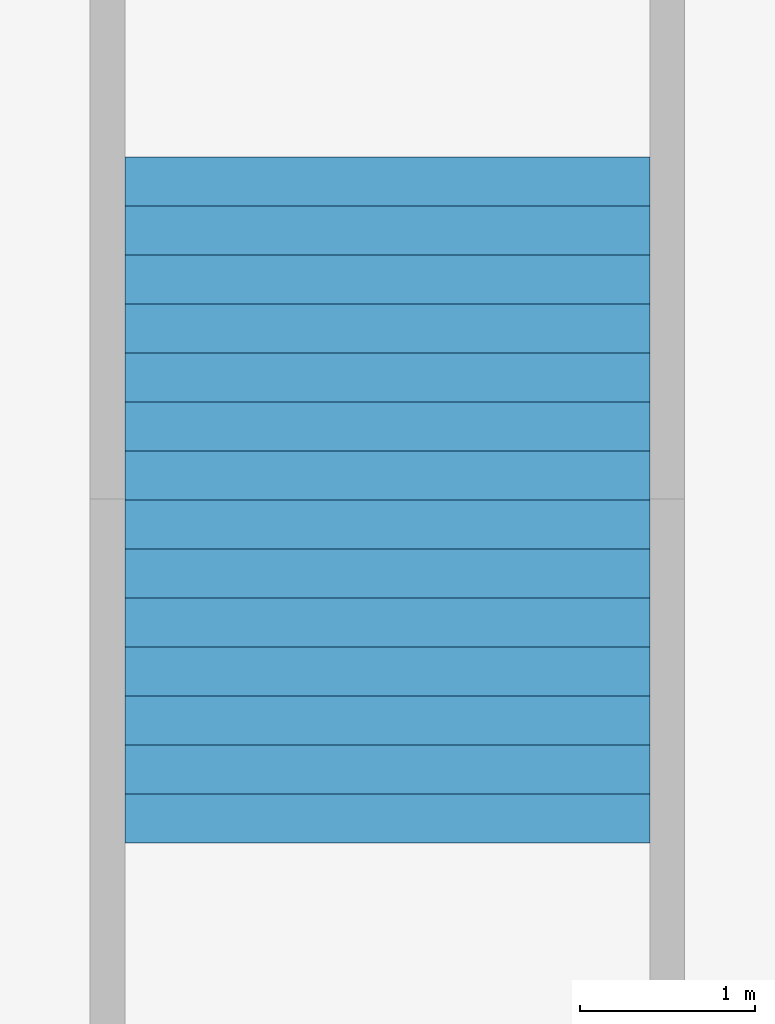
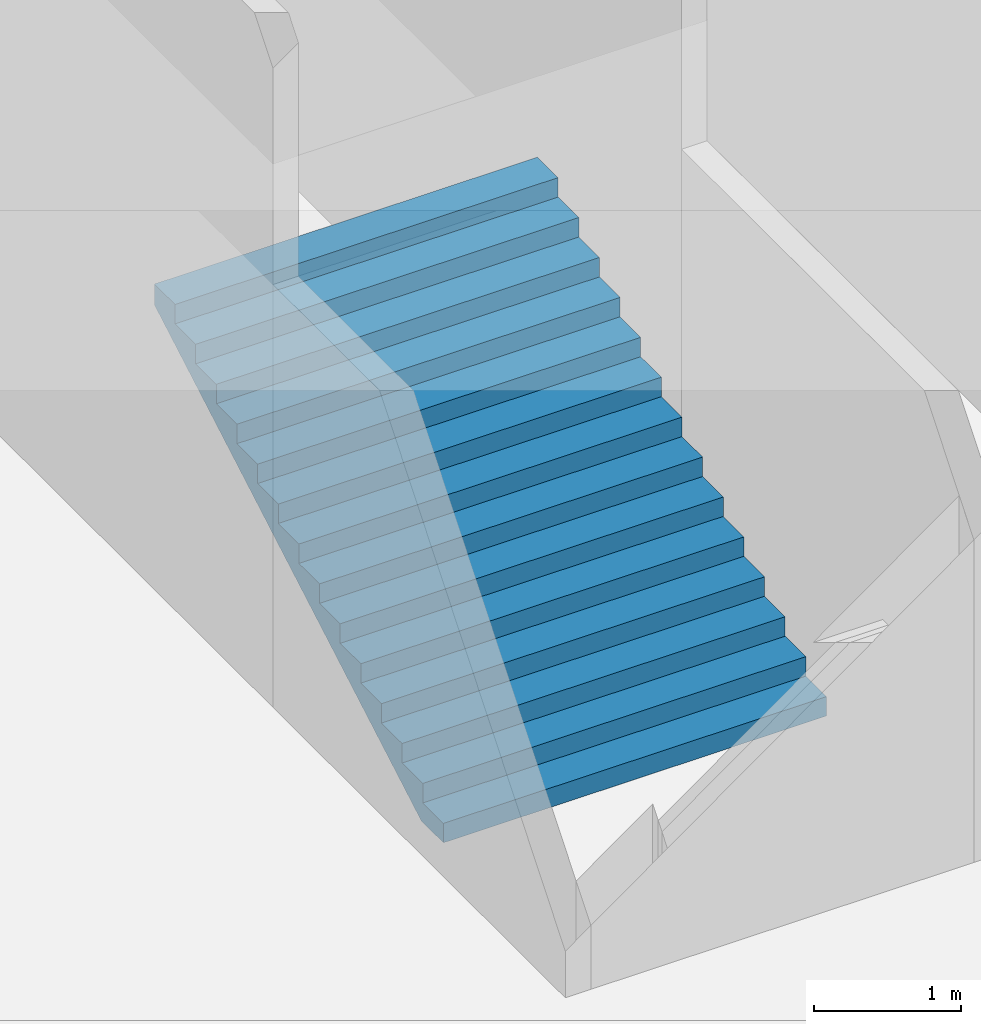
# One storey, part 90 of 115: 1 stair flight, 1 element without a shape of its own.
"""IFC4 building model written with IfcOpenShell, lengths in metres."""

from ifc_helpers import new_model, si_unit, direction, frame, origin, place, context, subcontext, project, spatial, faceted_brep, material, type_object, element, aggregate, save


model = new_model("IFC4")

# Units and contexts
model_context = context("Model", 3, precision=1e-05, world=origin(), true_north=direction((0.0, 1.0)))
body_context = subcontext(model_context, "Body", "Model", "MODEL_VIEW")
ifc_project = project(units=[si_unit("LENGTHUNIT", "METRE"), si_unit("AREAUNIT", "SQUARE_METRE"), si_unit("VOLUMEUNIT", "CUBIC_METRE"), si_unit("PLANEANGLEUNIT", "RADIAN"), si_unit("MASSUNIT", "GRAM", prefix="KILO")], contexts=[model_context])

# Site, building, storey
site_placement = place(None, origin())
site = spatial("IfcSite", under=ifc_project, at=site_placement, CompositionType="ELEMENT")
building_placement = place(site_placement, origin())
building = spatial("IfcBuilding", under=site, at=building_placement, Name="Ogive Plaza Stadium", CompositionType="ELEMENT")
storey_placement = place(building_placement, frame((0.0, 0.0, -4.5)))
storey = spatial("IfcBuildingStorey", under=building, at=storey_placement, Name="B1", CompositionType="ELEMENT", Elevation=-4.5)

# Stair, stair flight
ifc_material_1 = material(Name="Concrete C40/50", Category="concrete")
stair_type = type_object("IfcStairType", Name="Station stair 3000", PredefinedType="TWO_STRAIGHT_RUN_STAIR", material=ifc_material_1)
stair_placement = place(storey_placement, origin())
stair = element("IfcStair", 1, at=stair_placement, inside=storey, type_object=stair_type, Name="Stair QS4", PredefinedType="TWO_STRAIGHT_RUN_STAIR")
ifc_material_2 = material(Name="Concrete C40/50", Category="concrete")
stair_flight_type = type_object("IfcStairFlightType", Name="Station stair flight 3000", PredefinedType="STRAIGHT", material=ifc_material_2)
stair_flight_placement = place(storey_placement, frame((114.89990234375, 6.719970703125, 0.0), z_axis=(0.0, 0.0, 1.0), x_axis=(0.0, 1.0, 0.0)))
stair_flight = element("IfcStairFlight", 2, at=stair_flight_placement, type_object=stair_flight_type, Name="QS4 flight 1", NumberOfRisers=14, NumberOfTreads=13, PredefinedType="STRAIGHT", RiserHeight=0.160714286, TreadLength=0.28, context=body_context, shape_type="Brep", body=[
    faceted_brep([(0.301025390625, -1.5, 0.0), (3.919921875, -1.5, 2.0771484375), (3.919921875, -1.5, 2.25), (3.639892578125, -1.5, 2.25), (3.639892578125, -1.5, 2.08935546875), (3.360107421875, -1.5, 2.08935546875), (3.360107421875, -1.5, 1.928466796875), (3.080078125, -1.5, 1.928466796875), (3.080078125, -1.5, 1.767822265625), (2.800048828125, -1.5, 1.767822265625), (2.800048828125, -1.5, 1.607177734375), (2.52001953125, -1.5, 1.607177734375), (2.52001953125, -1.5, 1.446533203125), (2.239990234375, -1.5, 1.446533203125), (2.239990234375, -1.5, 1.28564453125), (1.9599609375, -1.5, 1.28564453125), (1.9599609375, -1.5, 1.125), (1.679931640625, -1.5, 1.125), (1.679931640625, -1.5, 0.96435546875), (1.39990234375, -1.5, 0.96435546875), (1.39990234375, -1.5, 0.803466796875), (1.1201171875, -1.5, 0.803466796875), (1.1201171875, -1.5, 0.642822265625), (0.840087890625, -1.5, 0.642822265625), (0.840087890625, -1.5, 0.482177734375), (0.56005859375, -1.5, 0.482177734375), (0.56005859375, -1.5, 0.321533203125), (0.280029296875, -1.5, 0.321533203125), (0.280029296875, -1.5, 0.16064453125), (0.0, -1.5, 0.16064453125), (0.0, -1.5, 0.0), (0.0, 1.5, 0.0), (0.0, 1.5, 0.16064453125), (0.280029296875, 1.5, 0.16064453125), (0.280029296875, 1.5, 0.321533203125), (0.56005859375, 1.5, 0.321533203125), (0.56005859375, 1.5, 0.482177734375), (0.840087890625, 1.5, 0.482177734375), (0.840087890625, 1.5, 0.642822265625), (1.1201171875, 1.5, 0.642822265625), (1.1201171875, 1.5, 0.803466796875), (1.39990234375, 1.5, 0.803466796875), (1.39990234375, 1.5, 0.96435546875), (1.679931640625, 1.5, 0.96435546875), (1.679931640625, 1.5, 1.125), (1.9599609375, 1.5, 1.125), (1.9599609375, 1.5, 1.28564453125), (2.239990234375, 1.5, 1.28564453125), (2.239990234375, 1.5, 1.446533203125), (2.52001953125, 1.5, 1.446533203125), (2.52001953125, 1.5, 1.607177734375), (2.800048828125, 1.5, 1.607177734375), (2.800048828125, 1.5, 1.767822265625), (3.080078125, 1.5, 1.767822265625), (3.080078125, 1.5, 1.928466796875), (3.360107421875, 1.5, 1.928466796875), (3.360107421875, 1.5, 2.08935546875), (3.639892578125, 1.5, 2.08935546875), (3.639892578125, 1.5, 2.25), (3.919921875, 1.5, 2.25), (3.919921875, 1.5, 2.0771484375), (0.301025390625, 1.5, 0.0), (0.301025390625, -1.166748046875, 0.0), (3.919921875, -1.166748046875, 2.0771484375), (0.301025390625, -0.833251953125, 0.0), (3.919921875, -0.833251953125, 2.0771484375), (0.301025390625, -0.5, 0.0), (3.919921875, -0.5, 2.0771484375), (0.301025390625, -0.166748046875, 0.0), (3.919921875, -0.166748046875, 2.0771484375), (0.301025390625, 0.166748046875, 0.0), (3.919921875, 0.166748046875, 2.0771484375), (0.301025390625, 0.5, 0.0), (3.919921875, 0.5, 2.0771484375), (0.301025390625, 0.833251953125, 0.0), (3.919921875, 0.833251953125, 2.0771484375), (0.301025390625, 1.166748046875, 0.0), (3.919921875, 1.166748046875, 2.0771484375), (3.919921875, -1.166748046875, 2.25), (3.919921875, -0.833251953125, 2.25), (3.919921875, -0.5, 2.25), (3.919921875, -0.166748046875, 2.25), (3.919921875, 0.166748046875, 2.25), (3.919921875, 0.5, 2.25), (3.919921875, 0.833251953125, 2.25), (3.919921875, 1.166748046875, 2.25), (3.639892578125, -1.166748046875, 2.25), (3.639892578125, -0.833251953125, 2.25), (3.639892578125, -0.5, 2.25), (3.639892578125, -0.166748046875, 2.25), (3.639892578125, 0.166748046875, 2.25), (3.639892578125, 0.5, 2.25), (3.639892578125, 0.833251953125, 2.25), (3.639892578125, 1.166748046875, 2.25), (3.639892578125, -1.166748046875, 2.08935546875), (3.639892578125, -0.833251953125, 2.08935546875), (3.639892578125, -0.5, 2.08935546875), (3.639892578125, -0.166748046875, 2.08935546875), (3.639892578125, 0.166748046875, 2.08935546875), (3.639892578125, 0.5, 2.08935546875), (3.639892578125, 0.833251953125, 2.08935546875), (3.639892578125, 1.166748046875, 2.08935546875), (3.360107421875, -1.166748046875, 2.08935546875), (3.360107421875, -0.833251953125, 2.08935546875), (3.360107421875, -0.5, 2.08935546875), (3.360107421875, -0.166748046875, 2.08935546875), (3.360107421875, 0.166748046875, 2.08935546875), (3.360107421875, 0.5, 2.08935546875), (3.360107421875, 0.833251953125, 2.08935546875), (3.360107421875, 1.166748046875, 2.08935546875), (3.360107421875, -1.166748046875, 1.928466796875), (3.360107421875, -0.833251953125, 1.928466796875), (3.360107421875, -0.5, 1.928466796875), (3.360107421875, -0.166748046875, 1.928466796875), (3.360107421875, 0.166748046875, 1.928466796875), (3.360107421875, 0.5, 1.928466796875), (3.360107421875, 0.833251953125, 1.928466796875), (3.360107421875, 1.166748046875, 1.928466796875), (3.080078125, -1.166748046875, 1.928466796875), (3.080078125, -0.833251953125, 1.928466796875), (3.080078125, -0.5, 1.928466796875), (3.080078125, -0.166748046875, 1.928466796875), (3.080078125, 0.166748046875, 1.928466796875), (3.080078125, 0.5, 1.928466796875), (3.080078125, 0.833251953125, 1.928466796875), (3.080078125, 1.166748046875, 1.928466796875), (3.080078125, -1.166748046875, 1.767822265625), (3.080078125, -0.833251953125, 1.767822265625), (3.080078125, -0.5, 1.767822265625), (3.080078125, -0.166748046875, 1.767822265625), (3.080078125, 0.166748046875, 1.767822265625), (3.080078125, 0.5, 1.767822265625), (3.080078125, 0.833251953125, 1.767822265625), (3.080078125, 1.166748046875, 1.767822265625), (2.800048828125, -1.166748046875, 1.767822265625), (2.800048828125, -0.833251953125, 1.767822265625), (2.800048828125, -0.5, 1.767822265625), (2.800048828125, -0.166748046875, 1.767822265625), (2.800048828125, 0.166748046875, 1.767822265625), (2.800048828125, 0.5, 1.767822265625), (2.800048828125, 0.833251953125, 1.767822265625), (2.800048828125, 1.166748046875, 1.767822265625), (2.800048828125, -1.166748046875, 1.607177734375), (2.800048828125, -0.833251953125, 1.607177734375), (2.800048828125, -0.5, 1.607177734375), (2.800048828125, -0.166748046875, 1.607177734375), (2.800048828125, 0.166748046875, 1.607177734375), (2.800048828125, 0.5, 1.607177734375), (2.800048828125, 0.833251953125, 1.607177734375), (2.800048828125, 1.166748046875, 1.607177734375), (2.52001953125, -1.166748046875, 1.607177734375), (2.52001953125, -0.833251953125, 1.607177734375), (2.52001953125, -0.5, 1.607177734375), (2.52001953125, -0.166748046875, 1.607177734375), (2.52001953125, 0.166748046875, 1.607177734375), (2.52001953125, 0.5, 1.607177734375), (2.52001953125, 0.833251953125, 1.607177734375), (2.52001953125, 1.166748046875, 1.607177734375), (2.52001953125, -1.166748046875, 1.446533203125), (2.52001953125, -0.833251953125, 1.446533203125), (2.52001953125, -0.5, 1.446533203125), (2.52001953125, -0.166748046875, 1.446533203125), (2.52001953125, 0.166748046875, 1.446533203125), (2.52001953125, 0.5, 1.446533203125), (2.52001953125, 0.833251953125, 1.446533203125), (2.52001953125, 1.166748046875, 1.446533203125), (2.239990234375, -1.166748046875, 1.446533203125), (2.239990234375, -0.833251953125, 1.446533203125), (2.239990234375, -0.5, 1.446533203125), (2.239990234375, -0.166748046875, 1.446533203125), (2.239990234375, 0.166748046875, 1.446533203125), (2.239990234375, 0.5, 1.446533203125), (2.239990234375, 0.833251953125, 1.446533203125), (2.239990234375, 1.166748046875, 1.446533203125), (2.239990234375, -1.166748046875, 1.28564453125), (2.239990234375, -0.833251953125, 1.28564453125), (2.239990234375, -0.5, 1.28564453125), (2.239990234375, -0.166748046875, 1.28564453125), (2.239990234375, 0.166748046875, 1.28564453125), (2.239990234375, 0.5, 1.28564453125), (2.239990234375, 0.833251953125, 1.28564453125), (2.239990234375, 1.166748046875, 1.28564453125), (1.9599609375, -1.166748046875, 1.28564453125), (1.9599609375, -0.833251953125, 1.28564453125), (1.9599609375, -0.5, 1.28564453125), (1.9599609375, -0.166748046875, 1.28564453125), (1.9599609375, 0.166748046875, 1.28564453125), (1.9599609375, 0.5, 1.28564453125), (1.9599609375, 0.833251953125, 1.28564453125), (1.9599609375, 1.166748046875, 1.28564453125), (1.9599609375, -1.166748046875, 1.125), (1.9599609375, -0.833251953125, 1.125), (1.9599609375, -0.5, 1.125), (1.9599609375, -0.166748046875, 1.125), (1.9599609375, 0.166748046875, 1.125), (1.9599609375, 0.5, 1.125), (1.9599609375, 0.833251953125, 1.125), (1.9599609375, 1.166748046875, 1.125), (1.679931640625, -1.166748046875, 1.125), (1.679931640625, -0.833251953125, 1.125), (1.679931640625, -0.5, 1.125), (1.679931640625, -0.166748046875, 1.125), (1.679931640625, 0.166748046875, 1.125), (1.679931640625, 0.5, 1.125), (1.679931640625, 0.833251953125, 1.125), (1.679931640625, 1.166748046875, 1.125), (1.679931640625, -1.166748046875, 0.96435546875), (1.679931640625, -0.833251953125, 0.96435546875), (1.679931640625, -0.5, 0.96435546875), (1.679931640625, -0.166748046875, 0.96435546875), (1.679931640625, 0.166748046875, 0.96435546875), (1.679931640625, 0.5, 0.96435546875), (1.679931640625, 0.833251953125, 0.96435546875), (1.679931640625, 1.166748046875, 0.96435546875), (1.39990234375, -1.166748046875, 0.96435546875), (1.39990234375, -0.833251953125, 0.96435546875), (1.39990234375, -0.5, 0.96435546875), (1.39990234375, -0.166748046875, 0.96435546875), (1.39990234375, 0.166748046875, 0.96435546875), (1.39990234375, 0.5, 0.96435546875), (1.39990234375, 0.833251953125, 0.96435546875), (1.39990234375, 1.166748046875, 0.96435546875), (1.39990234375, -1.166748046875, 0.803466796875), (1.39990234375, -0.833251953125, 0.803466796875), (1.39990234375, -0.5, 0.803466796875), (1.39990234375, -0.166748046875, 0.803466796875), (1.39990234375, 0.166748046875, 0.803466796875), (1.39990234375, 0.5, 0.803466796875), (1.39990234375, 0.833251953125, 0.803466796875), (1.39990234375, 1.166748046875, 0.803466796875), (1.1201171875, -1.166748046875, 0.803466796875), (1.1201171875, -0.833251953125, 0.803466796875), (1.1201171875, -0.5, 0.803466796875), (1.1201171875, -0.166748046875, 0.803466796875), (1.1201171875, 0.166748046875, 0.803466796875), (1.1201171875, 0.5, 0.803466796875), (1.1201171875, 0.833251953125, 0.803466796875), (1.1201171875, 1.166748046875, 0.803466796875), (1.1201171875, -1.166748046875, 0.642822265625), (1.1201171875, -0.833251953125, 0.642822265625), (1.1201171875, -0.5, 0.642822265625), (1.1201171875, -0.166748046875, 0.642822265625), (1.1201171875, 0.166748046875, 0.642822265625), (1.1201171875, 0.5, 0.642822265625), (1.1201171875, 0.833251953125, 0.642822265625), (1.1201171875, 1.166748046875, 0.642822265625), (0.840087890625, -1.166748046875, 0.642822265625), (0.840087890625, -0.833251953125, 0.642822265625), (0.840087890625, -0.5, 0.642822265625), (0.840087890625, -0.166748046875, 0.642822265625), (0.840087890625, 0.166748046875, 0.642822265625), (0.840087890625, 0.5, 0.642822265625), (0.840087890625, 0.833251953125, 0.642822265625), (0.840087890625, 1.166748046875, 0.642822265625), (0.840087890625, -1.166748046875, 0.482177734375), (0.840087890625, -0.833251953125, 0.482177734375), (0.840087890625, -0.5, 0.482177734375), (0.840087890625, -0.166748046875, 0.482177734375), (0.840087890625, 0.166748046875, 0.482177734375), (0.840087890625, 0.5, 0.482177734375), (0.840087890625, 0.833251953125, 0.482177734375), (0.840087890625, 1.166748046875, 0.482177734375), (0.56005859375, -1.166748046875, 0.482177734375), (0.56005859375, -0.833251953125, 0.482177734375), (0.56005859375, -0.5, 0.482177734375), (0.56005859375, -0.166748046875, 0.482177734375), (0.56005859375, 0.166748046875, 0.482177734375), (0.56005859375, 0.5, 0.482177734375), (0.56005859375, 0.833251953125, 0.482177734375), (0.56005859375, 1.166748046875, 0.482177734375), (0.56005859375, -1.166748046875, 0.321533203125), (0.56005859375, -0.833251953125, 0.321533203125), (0.56005859375, -0.5, 0.321533203125), (0.56005859375, -0.166748046875, 0.321533203125), (0.56005859375, 0.166748046875, 0.321533203125), (0.56005859375, 0.5, 0.321533203125), (0.56005859375, 0.833251953125, 0.321533203125), (0.56005859375, 1.166748046875, 0.321533203125), (0.280029296875, -1.166748046875, 0.321533203125), (0.280029296875, -0.833251953125, 0.321533203125), (0.280029296875, -0.5, 0.321533203125), (0.280029296875, -0.166748046875, 0.321533203125), (0.280029296875, 0.166748046875, 0.321533203125), (0.280029296875, 0.5, 0.321533203125), (0.280029296875, 0.833251953125, 0.321533203125), (0.280029296875, 1.166748046875, 0.321533203125), (0.280029296875, -1.166748046875, 0.16064453125), (0.280029296875, -0.833251953125, 0.16064453125), (0.280029296875, -0.5, 0.16064453125), (0.280029296875, -0.166748046875, 0.16064453125), (0.280029296875, 0.166748046875, 0.16064453125), (0.280029296875, 0.5, 0.16064453125), (0.280029296875, 0.833251953125, 0.16064453125), (0.280029296875, 1.166748046875, 0.16064453125), (0.0, -1.166748046875, 0.16064453125), (0.0, -0.833251953125, 0.16064453125), (0.0, -0.5, 0.16064453125), (0.0, -0.166748046875, 0.16064453125), (0.0, 0.166748046875, 0.16064453125), (0.0, 0.5, 0.16064453125), (0.0, 0.833251953125, 0.16064453125), (0.0, 1.166748046875, 0.16064453125), (0.0, -1.166748046875, 0.0), (0.0, -0.833251953125, 0.0), (0.0, -0.5, 0.0), (0.0, -0.166748046875, 0.0), (0.0, 0.166748046875, 0.0), (0.0, 0.5, 0.0), (0.0, 0.833251953125, 0.0), (0.0, 1.166748046875, 0.0)], [[[0, 1, 2, 3, 4, 5, 6, 7, 8, 9, 10, 11, 12, 13, 14, 15, 16, 17, 18, 19, 20, 21, 22, 23, 24, 25, 26, 27, 28, 29, 30]], [[31, 32, 33, 34, 35, 36, 37, 38, 39, 40, 41, 42, 43, 44, 45, 46, 47, 48, 49, 50, 51, 52, 53, 54, 55, 56, 57, 58, 59, 60, 61]], [[0, 62, 63, 1]], [[62, 64, 65, 63]], [[64, 66, 67, 65]], [[66, 68, 69, 67]], [[68, 70, 71, 69]], [[70, 72, 73, 71]], [[72, 74, 75, 73]], [[74, 76, 77, 75]], [[76, 61, 60, 77]], [[1, 63, 78, 2]], [[63, 65, 79, 78]], [[65, 67, 80, 79]], [[67, 69, 81, 80]], [[69, 71, 82, 81]], [[71, 73, 83, 82]], [[73, 75, 84, 83]], [[75, 77, 85, 84]], [[77, 60, 59, 85]], [[2, 78, 86, 3]], [[78, 79, 87, 86]], [[79, 80, 88, 87]], [[80, 81, 89, 88]], [[81, 82, 90, 89]], [[82, 83, 91, 90]], [[83, 84, 92, 91]], [[84, 85, 93, 92]], [[85, 59, 58, 93]], [[3, 86, 94, 4]], [[86, 87, 95, 94]], [[87, 88, 96, 95]], [[88, 89, 97, 96]], [[89, 90, 98, 97]], [[90, 91, 99, 98]], [[91, 92, 100, 99]], [[92, 93, 101, 100]], [[93, 58, 57, 101]], [[4, 94, 102, 5]], [[94, 95, 103, 102]], [[95, 96, 104, 103]], [[96, 97, 105, 104]], [[97, 98, 106, 105]], [[98, 99, 107, 106]], [[99, 100, 108, 107]], [[100, 101, 109, 108]], [[101, 57, 56, 109]], [[5, 102, 110, 6]], [[102, 103, 111, 110]], [[103, 104, 112, 111]], [[104, 105, 113, 112]], [[105, 106, 114, 113]], [[106, 107, 115, 114]], [[107, 108, 116, 115]], [[108, 109, 117, 116]], [[109, 56, 55, 117]], [[6, 110, 118, 7]], [[110, 111, 119, 118]], [[111, 112, 120, 119]], [[112, 113, 121, 120]], [[113, 114, 122, 121]], [[114, 115, 123, 122]], [[115, 116, 124, 123]], [[116, 117, 125, 124]], [[117, 55, 54, 125]], [[7, 118, 126, 8]], [[118, 119, 127, 126]], [[119, 120, 128, 127]], [[120, 121, 129, 128]], [[121, 122, 130, 129]], [[122, 123, 131, 130]], [[123, 124, 132, 131]], [[124, 125, 133, 132]], [[125, 54, 53, 133]], [[8, 126, 134, 9]], [[126, 127, 135, 134]], [[127, 128, 136, 135]], [[128, 129, 137, 136]], [[129, 130, 138, 137]], [[130, 131, 139, 138]], [[131, 132, 140, 139]], [[132, 133, 141, 140]], [[133, 53, 52, 141]], [[9, 134, 142, 10]], [[134, 135, 143, 142]], [[135, 136, 144, 143]], [[136, 137, 145, 144]], [[137, 138, 146, 145]], [[138, 139, 147, 146]], [[139, 140, 148, 147]], [[140, 141, 149, 148]], [[141, 52, 51, 149]], [[10, 142, 150, 11]], [[142, 143, 151, 150]], [[143, 144, 152, 151]], [[144, 145, 153, 152]], [[145, 146, 154, 153]], [[146, 147, 155, 154]], [[147, 148, 156, 155]], [[148, 149, 157, 156]], [[149, 51, 50, 157]], [[11, 150, 158, 12]], [[150, 151, 159, 158]], [[151, 152, 160, 159]], [[152, 153, 161, 160]], [[153, 154, 162, 161]], [[154, 155, 163, 162]], [[155, 156, 164, 163]], [[156, 157, 165, 164]], [[157, 50, 49, 165]], [[12, 158, 166, 13]], [[158, 159, 167, 166]], [[159, 160, 168, 167]], [[160, 161, 169, 168]], [[161, 162, 170, 169]], [[162, 163, 171, 170]], [[163, 164, 172, 171]], [[164, 165, 173, 172]], [[165, 49, 48, 173]], [[13, 166, 174, 14]], [[166, 167, 175, 174]], [[167, 168, 176, 175]], [[168, 169, 177, 176]], [[169, 170, 178, 177]], [[170, 171, 179, 178]], [[171, 172, 180, 179]], [[172, 173, 181, 180]], [[173, 48, 47, 181]], [[14, 174, 182, 15]], [[174, 175, 183, 182]], [[175, 176, 184, 183]], [[176, 177, 185, 184]], [[177, 178, 186, 185]], [[178, 179, 187, 186]], [[179, 180, 188, 187]], [[180, 181, 189, 188]], [[181, 47, 46, 189]], [[15, 182, 190, 16]], [[182, 183, 191, 190]], [[183, 184, 192, 191]], [[184, 185, 193, 192]], [[185, 186, 194, 193]], [[186, 187, 195, 194]], [[187, 188, 196, 195]], [[188, 189, 197, 196]], [[189, 46, 45, 197]], [[16, 190, 198, 17]], [[190, 191, 199, 198]], [[191, 192, 200, 199]], [[192, 193, 201, 200]], [[193, 194, 202, 201]], [[194, 195, 203, 202]], [[195, 196, 204, 203]], [[196, 197, 205, 204]], [[197, 45, 44, 205]], [[17, 198, 206, 18]], [[198, 199, 207, 206]], [[199, 200, 208, 207]], [[200, 201, 209, 208]], [[201, 202, 210, 209]], [[202, 203, 211, 210]], [[203, 204, 212, 211]], [[204, 205, 213, 212]], [[205, 44, 43, 213]], [[18, 206, 214, 19]], [[206, 207, 215, 214]], [[207, 208, 216, 215]], [[208, 209, 217, 216]], [[209, 210, 218, 217]], [[210, 211, 219, 218]], [[211, 212, 220, 219]], [[212, 213, 221, 220]], [[213, 43, 42, 221]], [[19, 214, 222, 20]], [[214, 215, 223, 222]], [[215, 216, 224, 223]], [[216, 217, 225, 224]], [[217, 218, 226, 225]], [[218, 219, 227, 226]], [[219, 220, 228, 227]], [[220, 221, 229, 228]], [[221, 42, 41, 229]], [[20, 222, 230, 21]], [[222, 223, 231, 230]], [[223, 224, 232, 231]], [[224, 225, 233, 232]], [[225, 226, 234, 233]], [[226, 227, 235, 234]], [[227, 228, 236, 235]], [[228, 229, 237, 236]], [[229, 41, 40, 237]], [[21, 230, 238, 22]], [[230, 231, 239, 238]], [[231, 232, 240, 239]], [[232, 233, 241, 240]], [[233, 234, 242, 241]], [[234, 235, 243, 242]], [[235, 236, 244, 243]], [[236, 237, 245, 244]], [[237, 40, 39, 245]], [[22, 238, 246, 23]], [[238, 239, 247, 246]], [[239, 240, 248, 247]], [[240, 241, 249, 248]], [[241, 242, 250, 249]], [[242, 243, 251, 250]], [[243, 244, 252, 251]], [[244, 245, 253, 252]], [[245, 39, 38, 253]], [[23, 246, 254, 24]], [[246, 247, 255, 254]], [[247, 248, 256, 255]], [[248, 249, 257, 256]], [[249, 250, 258, 257]], [[250, 251, 259, 258]], [[251, 252, 260, 259]], [[252, 253, 261, 260]], [[253, 38, 37, 261]], [[24, 254, 262, 25]], [[254, 255, 263, 262]], [[255, 256, 264, 263]], [[256, 257, 265, 264]], [[257, 258, 266, 265]], [[258, 259, 267, 266]], [[259, 260, 268, 267]], [[260, 261, 269, 268]], [[261, 37, 36, 269]], [[25, 262, 270, 26]], [[262, 263, 271, 270]], [[263, 264, 272, 271]], [[264, 265, 273, 272]], [[265, 266, 274, 273]], [[266, 267, 275, 274]], [[267, 268, 276, 275]], [[268, 269, 277, 276]], [[269, 36, 35, 277]], [[26, 270, 278, 27]], [[270, 271, 279, 278]], [[271, 272, 280, 279]], [[272, 273, 281, 280]], [[273, 274, 282, 281]], [[274, 275, 283, 282]], [[275, 276, 284, 283]], [[276, 277, 285, 284]], [[277, 35, 34, 285]], [[27, 278, 286, 28]], [[278, 279, 287, 286]], [[279, 280, 288, 287]], [[280, 281, 289, 288]], [[281, 282, 290, 289]], [[282, 283, 291, 290]], [[283, 284, 292, 291]], [[284, 285, 293, 292]], [[285, 34, 33, 293]], [[28, 286, 294, 29]], [[286, 287, 295, 294]], [[287, 288, 296, 295]], [[288, 289, 297, 296]], [[289, 290, 298, 297]], [[290, 291, 299, 298]], [[291, 292, 300, 299]], [[292, 293, 301, 300]], [[293, 33, 32, 301]], [[29, 294, 302, 30]], [[294, 295, 303, 302]], [[295, 296, 304, 303]], [[296, 297, 305, 304]], [[297, 298, 306, 305]], [[298, 299, 307, 306]], [[299, 300, 308, 307]], [[300, 301, 309, 308]], [[301, 32, 31, 309]], [[30, 302, 62, 0]], [[302, 303, 64, 62]], [[303, 304, 66, 64]], [[304, 305, 68, 66]], [[305, 306, 70, 68]], [[306, 307, 72, 70]], [[307, 308, 74, 72]], [[308, 309, 76, 74]], [[309, 31, 61, 76]]]),
])
aggregate(stair, [stair_flight])

save(model, "model.ifc")
